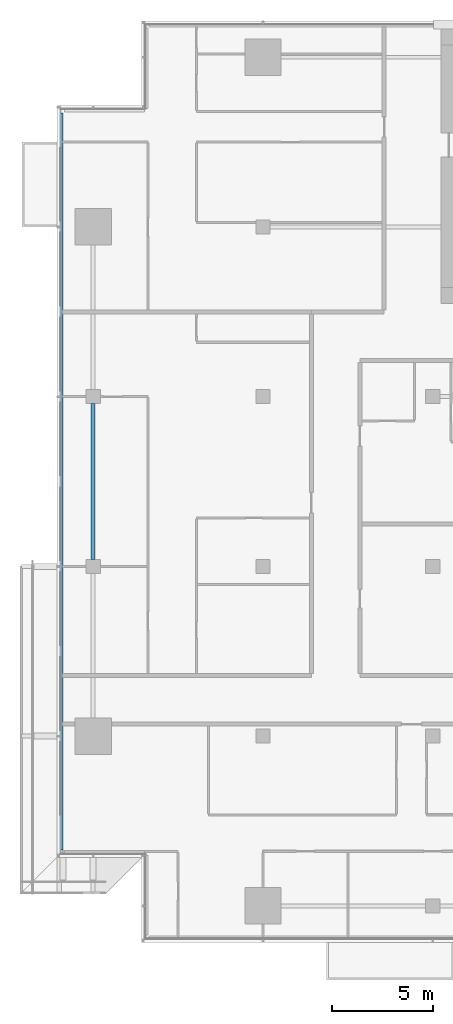
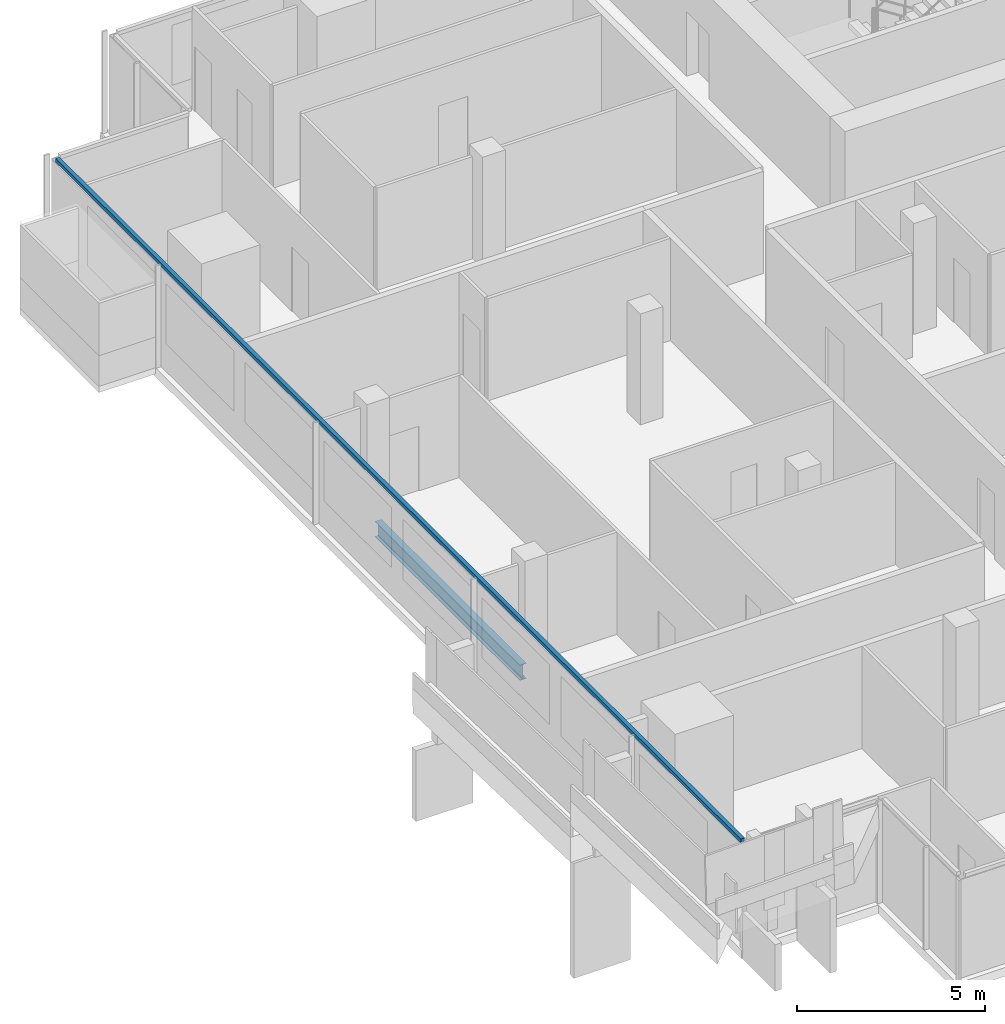
# One storey, part 3 of 30: 1 beam, 1 member, 1 element without a shape of its own.
"""IFC4 building model written with IfcOpenShell, lengths in metres."""

from ifc_helpers import new_model, si_unit, direction, frame, origin, origin_2d, place, context, subcontext, project, spatial, rectangle, i_section, extrude, material, material_profile, profile_set, type_object, element, aggregate, save


model = new_model("IFC4")

# Units and contexts
model_context = context("Model", 3, precision=1e-05, world=origin(), true_north=direction((0.0, 1.0)))
body_context = subcontext(model_context, "Body", "Model", "MODEL_VIEW")
ifc_project = project(units=[si_unit("LENGTHUNIT", "METRE"), si_unit("AREAUNIT", "SQUARE_METRE"), si_unit("VOLUMEUNIT", "CUBIC_METRE"), si_unit("PLANEANGLEUNIT", "RADIAN"), si_unit("MASSUNIT", "GRAM", prefix="KILO")], contexts=[model_context])

# Site, building, storey
site_placement = place(None, origin())
site = spatial("IfcSite", under=ifc_project, at=site_placement, CompositionType="ELEMENT")
building_placement = place(site_placement, origin())
building = spatial("IfcBuilding", under=site, at=building_placement, Name="Saffron Gate Tower", CompositionType="ELEMENT")
storey_placement = place(building_placement, frame((0.0, 0.0, 165.449951171875)))
storey = spatial("IfcBuildingStorey", under=building, at=storey_placement, Name="L40", CompositionType="ELEMENT", Elevation=165.449951171875)

# Beam
ifc_material_1 = material(Name="Structural steel S355", Category="steel")
ifc_material_profile_1 = material_profile(ifc_material_1, i_section(OverallWidth=0.199951171875, OverallDepth=0.5, WebThickness=0.01025390625, FlangeThickness=0.01611328125, FilletRadius=0.02099609375, at=origin_2d()))
ifc_profile_set_1 = profile_set([ifc_material_profile_1], Name="Structural steel S355")
beam_type = type_object("IfcBeamType", Name="B11 IPE 500", PredefinedType="SPANDREL", material=ifc_profile_set_1)
beam_placement = place(storey_placement, frame((49.800048828125, 48.949951171875, -0.530029296875), z_axis=(0.0, 1.0, 0.0), x_axis=(-1.0, 0.0, 0.0)))
element("IfcBeam", 1, at=beam_placement, inside=storey, type_object=beam_type, Name="B11 SPANDREL BEAM", PredefinedType="SPANDREL", context=body_context, shape_type="SweptSolid", body=[
    extrude(i_section(OverallWidth=0.199951171875, OverallDepth=0.5, WebThickness=0.01025390625, FlangeThickness=0.01611328125, FilletRadius=0.02099609375, at=origin_2d()), origin(), (0.0, 0.0, 1.0), 7.699951171875),
])

# Curtain wall, member
ifc_material_2 = material(Name="Aluminium, bronze anodised", Category="aluminium")
curtain_wall_type = type_object("IfcCurtainWallType", Name="CWS2 curtain wall side facades", PredefinedType="NOTDEFINED", material=ifc_material_2)
curtain_wall_placement = place(storey_placement, origin())
curtain_wall = element("IfcCurtainWall", 2, at=curtain_wall_placement, inside=storey, type_object=curtain_wall_type, Name="CWS2 run 10", PredefinedType="NOTDEFINED")
ifc_material_profile_2 = material_profile(ifc_material_2, rectangle(XDim=0.1201171875, YDim=0.1201171875, at=origin_2d()))
ifc_profile_set_2 = profile_set([ifc_material_profile_2], Name="Aluminium, bronze anodised")
member_type = type_object("IfcMemberType", Name="CWS2 head transom", PredefinedType="USERDEFINED", material=ifc_profile_set_2)
member_placement = place(storey_placement, frame((48.248046875, 71.031982421875, 3.260009765625), z_axis=(0.0, -1.0, 0.0), x_axis=(1.0, 0.0, 0.0)))
member = element("IfcMember", 3, at=member_placement, type_object=member_type, Name="CWS2 head transom", ObjectType="TRANSOM", PredefinedType="USERDEFINED", context=body_context, shape_type="SweptSolid", body=[
    extrude(rectangle(XDim=0.1201171875, YDim=0.1201171875, at=origin_2d()), origin(), (0.0, 0.0, 1.0), 36.4638671875),
])
aggregate(curtain_wall, [member])

save(model, "model.ifc")
